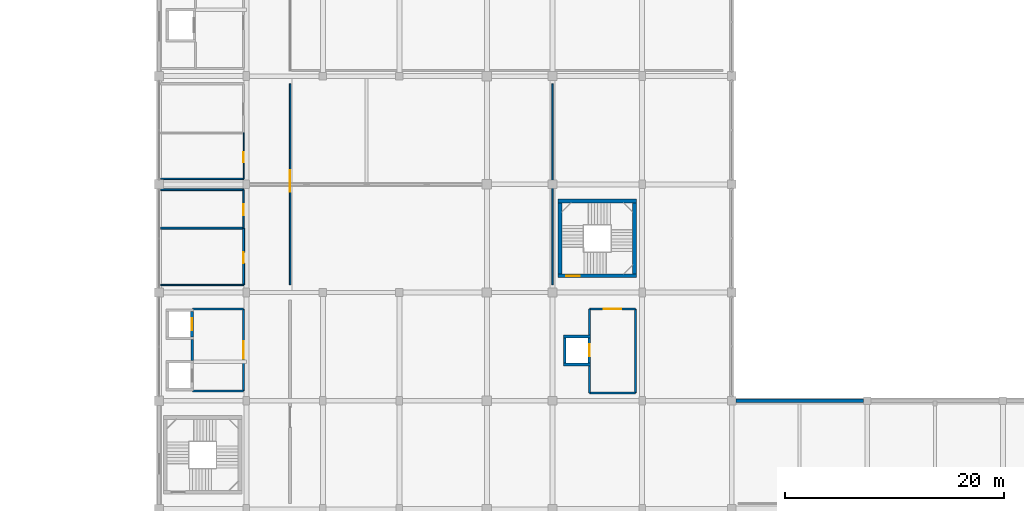
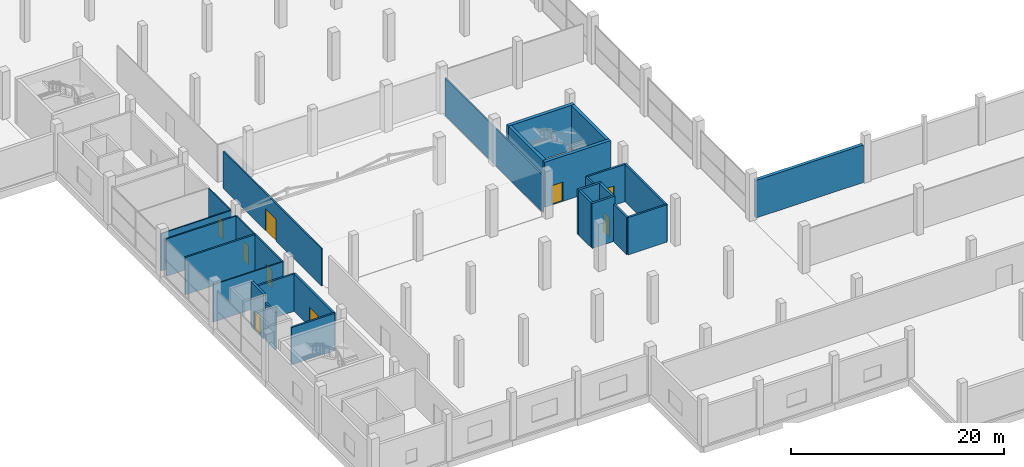
# One storey, part 44 of 72: 28 walls, 9 doors, 9 openings.
"""IFC4 building model written with IfcOpenShell, lengths in metres."""

from ifc_helpers import new_model, si_unit, direction, frame, frame_2d, origin, place, context, subcontext, project, spatial, rectangle, extrude, material, layer, layer_set, type_object, element, fill, save


model = new_model("IFC4")

# Units and contexts
model_context = context("Model", 3, precision=1e-05, world=origin(), true_north=direction((0.0, 1.0)))
body_context = subcontext(model_context, "Body", "Model", "MODEL_VIEW")
ifc_project = project(units=[si_unit("LENGTHUNIT", "METRE"), si_unit("AREAUNIT", "SQUARE_METRE"), si_unit("VOLUMEUNIT", "CUBIC_METRE"), si_unit("PLANEANGLEUNIT", "RADIAN"), si_unit("MASSUNIT", "GRAM", prefix="KILO")], contexts=[model_context])

# Site, building, storey
site_placement = place(None, origin())
site = spatial("IfcSite", under=ifc_project, at=site_placement, CompositionType="ELEMENT")
building_placement = place(site_placement, origin())
building = spatial("IfcBuilding", under=site, at=building_placement, Name="Sillaruma Civic Art Gallery", CompositionType="ELEMENT")
storey_placement = place(building_placement, frame((0.0, 0.0, 10.8798828125)))
storey = spatial("IfcBuildingStorey", under=building, at=storey_placement, Name="L02", CompositionType="ELEMENT", Elevation=10.8798828125)

# Wall, opening, door
ifc_material_1 = material(Name="Concrete H40 (40 MPa)", Category="concrete")
ifc_layer_1 = layer(ifc_material_1, 0.35009765625, Name="Concrete H40 (40 MPa)")
ifc_layer_set_1 = layer_set([ifc_layer_1], Name="Concrete H40 (40 MPa)")
wall_type_1 = type_object("IfcWallType", Name="WAL-CORE-350", PredefinedType="SHEAR", material=ifc_layer_set_1)
wall_1_placement = place(storey_placement, frame((98.510009765625, 51.034912109375, 0.0), z_axis=(0.0, 0.0, 1.0), x_axis=(1.0, 0.0, 0.0)))
wall_1 = element("IfcWall", 1, at=wall_1_placement, inside=storey, type_object=wall_type_1, Name="Stair Core Shear Wall W-CORE-350 (ST-04:L02:S)", PredefinedType="SHEAR", context=body_context, shape_type="SweptSolid", body=[
    extrude(rectangle(XDim=7.179931640625, YDim=0.35009765625, at=frame_2d((3.58984375, 0.0))), origin(), (0.0, 0.0, 1.0), 5.16015625),
])
opening_1_placement = place(wall_1_placement, frame((0.77001953125, 0.0, 0.0)))
opening_1 = element("IfcOpeningElement", 2, at=opening_1_placement, cuts=wall_1, Name="Opening D-STAIR", PredefinedType="OPENING", context=body_context, shape_type="SweptSolid", body=[
    extrude(rectangle(XDim=1.199951171875, YDim=2.199951171875, at=frame_2d((0.60009765625, 1.10009765625))), frame((0.0, 0.18505859375, 0.0), z_axis=(0.0, -1.0, 0.0), x_axis=(1.0, 0.0, 0.0)), (0.0, 0.0, 1.0), 0.3701171875),
])
ifc_material_2 = material(Name="Galvanised Steel ASTM A653 Gr.50", Category="steel")
door_type_1 = type_object("IfcDoorType", Name="DOR-STAIR-120", OperationType="NOTDEFINED", PredefinedType="DOOR", material=ifc_material_2)
door_1_placement = place(opening_1_placement, origin())
door_1 = element("IfcDoor", 3, at=door_1_placement, inside=storey, type_object=door_type_1, Name="Protected Stair Fire Door (ST-04:L02)", OperationType="SINGLE_SWING_RIGHT", OverallHeight=2.199951171875, OverallWidth=1.199951171875, PredefinedType="DOOR", context=body_context, shape_type="SweptSolid", body=[
    extrude(rectangle(XDim=1.199951171875, YDim=2.199951171875, at=frame_2d((0.60009765625, 1.10009765625))), frame((0.0, 0.02490234375, 0.0), z_axis=(0.0, -1.0, 0.0), x_axis=(1.0, 0.0, 0.0)), (0.0, 0.0, 1.0), 0.050048828125),
])
fill(opening_1, door_1)

# Walls
wall_2_placement = place(storey_placement, frame((98.510009765625, 57.864990234375, 0.0), z_axis=(0.0, 0.0, 1.0), x_axis=(1.0, 0.0, 0.0)))
element("IfcWall", 4, at=wall_2_placement, inside=storey, type_object=wall_type_1, Name="Stair Core Shear Wall W-CORE-350 (ST-04:L02:N)", PredefinedType="SHEAR", context=body_context, shape_type="SweptSolid", body=[
    extrude(rectangle(XDim=7.179931640625, YDim=0.35009765625, at=frame_2d((3.58984375, 0.0))), origin(), (0.0, 0.0, 1.0), 5.16015625),
])
for number, where, z_axis, x_axis, name in (
    (5, (98.68505859375, 51.2099609375, 0.0), (0.0, 0.0, 1.0), (0.0, 1.0, 0.0), "Stair Core Shear Wall W-CORE-350 (ST-04:L02:W)"),
    (6, (105.514892578125, 51.2099609375, 0.0), (0.0, 0.0, 1.0), (0.0, 1.0, 0.0), "Stair Core Shear Wall W-CORE-350 (ST-04:L02:E)"),
):
    element("IfcWall", number, at=place(storey_placement, frame(where, z_axis=z_axis, x_axis=x_axis)), inside=storey, type_object=wall_type_1, Name=name, PredefinedType="SHEAR", context=body_context, shape_type="SweptSolid", body=[
        extrude(rectangle(XDim=6.47998046875, YDim=0.35009765625, at=frame_2d((3.239990234375, 0.0))), origin(), (0.0, 0.0, 1.0), 5.16015625),
    ])
ifc_layer_2 = layer(ifc_material_1, 0.239990234375, Name="Boundary concrete", Category="concrete")
ifc_material_3 = material(Name="Mineral Wool Thermal Insulation", Category="insulation")
ifc_layer_3 = layer(ifc_material_3, 0.10009765625, Name="Acoustic-thermal liner", Category="insulation")
ifc_layer_set_2 = layer_set([ifc_layer_2, ifc_layer_3], Name="W-EXT-340")
wall_type_2 = type_object("IfcWallType", Name="WAL-EXT-340", PredefinedType="SOLIDWALL", material=ifc_layer_set_2)
wall_3_placement = place(storey_placement, frame((114.800048828125, 39.60009765625, 0.0), z_axis=(0.0, 0.0, 1.0), x_axis=(1.0, 0.0, 0.0)))
element("IfcWall", 7, at=wall_3_placement, inside=storey, type_object=wall_type_2, Name="Exterior Wall W-EXT-340 (EW-L02-EPN-1)", PredefinedType="SOLIDWALL", context=body_context, shape_type="SweptSolid", body=[
    extrude(rectangle(XDim=11.64990234375, YDim=0.340087890625, at=frame_2d((5.824951171875, 0.0))), origin(), (0.0, 0.0, 1.0), 4.31005859375),
])
ifc_material_4 = material(Name="Concrete Masonry Unit Grade M15", Category="masonry")
ifc_layer_4 = layer(ifc_material_4, 0.199951171875, Name="Concrete Masonry Unit Grade M15")
ifc_layer_set_3 = layer_set([ifc_layer_4], Name="Concrete Masonry Unit Grade M15")
wall_type_3 = type_object("IfcWallType", Name="WAL-LOBBY-200", PredefinedType="SOLIDWALL", material=ifc_layer_set_3)
for number, where, z_axis, x_axis, name in (
    (8, (65.050048828125, 40.5, 0.0), (0.0, 0.0, 1.0), (1.0, 0.0, 0.0), "Interior Wall W-LOBBY-200 (L02-LLW)"),
    (9, (65.050048828125, 48.0, 0.0), (0.0, 0.0, 1.0), (1.0, 0.0, 0.0), "Interior Wall W-LOBBY-200 (L02-LLW)"),
):
    element("IfcWall", number, at=place(storey_placement, frame(where, z_axis=z_axis, x_axis=x_axis)), inside=storey, type_object=wall_type_3, Name=name, PredefinedType="SOLIDWALL", context=body_context, shape_type="SweptSolid", body=[
        extrude(rectangle(XDim=4.699951171875, YDim=0.199951171875, at=frame_2d((2.35009765625, 0.0))), origin(), (0.0, 0.0, 1.0), 4.280029296875),
    ])
wall_4_placement = place(storey_placement, frame((65.050048828125, 43.300048828125, 0.0), z_axis=(0.0, 0.0, 1.0), x_axis=(0.0, 1.0, 0.0)))
element("IfcWall", 10, at=wall_4_placement, inside=storey, type_object=wall_type_3, Name="Interior Wall W-LOBBY-200 (L02-LLW)", PredefinedType="SOLIDWALL", context=body_context, shape_type="SweptSolid", body=[
    extrude(rectangle(XDim=1.89990234375, YDim=0.199951171875, at=frame_2d((0.949951171875, 0.0))), origin(), (0.0, 0.0, 1.0), 4.280029296875),
])

# Wall, opening, door
wall_5_placement = place(storey_placement, frame((69.75, 40.5, 0.0), z_axis=(0.0, 0.0, 1.0), x_axis=(0.0, 1.0, 0.0)))
wall_5 = element("IfcWall", 11, at=wall_5_placement, inside=storey, type_object=wall_type_3, Name="Interior Wall W-LOBBY-200 (L02-LLW)", PredefinedType="SOLIDWALL", context=body_context, shape_type="SweptSolid", body=[
    extrude(rectangle(XDim=7.5, YDim=0.199951171875, at=frame_2d((3.75, 0.0))), origin(), (0.0, 0.0, 1.0), 4.280029296875),
])
opening_2_placement = place(wall_5_placement, frame((2.949951171875, 0.0, 0.0)))
opening_2 = element("IfcOpeningElement", 12, at=opening_2_placement, cuts=wall_5, Name="Opening D-LOBBY", PredefinedType="OPENING", context=body_context, shape_type="SweptSolid", body=[
    extrude(rectangle(XDim=1.60009765625, YDim=2.199951171875, at=frame_2d((0.800048828125, 1.10009765625))), frame((0.0, 0.10986328125, 0.0), z_axis=(0.0, -1.0, 0.0), x_axis=(1.0, 0.0, 0.0)), (0.0, 0.0, 1.0), 0.219970703125),
])
ifc_material_5 = material(Name="Thermally Broken Extruded Aluminium 6063-T6", Category="aluminium")
door_type_2 = type_object("IfcDoorType", Name="DOR-LOBBY-160", OperationType="NOTDEFINED", PredefinedType="DOOR", material=ifc_material_5)
door_2_placement = place(opening_2_placement, origin())
door_2 = element("IfcDoor", 13, at=door_2_placement, inside=storey, type_object=door_type_2, Name="West Lift Lobby Door (D-LOBBY)", OperationType="DOUBLE_DOOR_SINGLE_SWING", OverallHeight=2.199951171875, OverallWidth=1.60009765625, PredefinedType="DOOR", context=body_context, shape_type="SweptSolid", body=[
    extrude(rectangle(XDim=1.60009765625, YDim=2.199951171875, at=frame_2d((0.800048828125, 1.10009765625))), frame((0.0, 0.02490234375, 0.0), z_axis=(0.0, -1.0, 0.0), x_axis=(1.0, 0.0, 0.0)), (0.0, 0.0, 1.0), 0.050048828125),
])
fill(opening_2, door_2)

# Walls
wall_6_placement = place(storey_placement, frame((101.39990234375, 40.300048828125, 0.0), z_axis=(0.0, 0.0, 1.0), x_axis=(1.0, 0.0, 0.0)))
element("IfcWall", 14, at=wall_6_placement, inside=storey, type_object=wall_type_3, Name="Interior Wall W-LOBBY-200 (L02-LLE)", PredefinedType="SOLIDWALL", context=body_context, shape_type="SweptSolid", body=[
    extrude(rectangle(XDim=4.2001953125, YDim=0.199951171875, at=frame_2d((2.10009765625, 0.0))), origin(), (0.0, 0.0, 1.0), 4.280029296875),
])
wall_7_placement = place(storey_placement, frame((101.39990234375, 40.300048828125, 0.0), z_axis=(0.0, 0.0, 1.0), x_axis=(0.0, 1.0, 0.0)))
element("IfcWall", 15, at=wall_7_placement, inside=storey, type_object=wall_type_3, Name="Interior Wall W-LOBBY-200 (L02-LLE)", PredefinedType="SOLIDWALL", context=body_context, shape_type="SweptSolid", body=[
    extrude(rectangle(XDim=2.5, YDim=0.199951171875, at=frame_2d((1.25, 0.0))), origin(), (0.0, 0.0, 1.0), 4.280029296875),
])
wall_8_placement = place(storey_placement, frame((101.39990234375, 45.60009765625, 0.0), z_axis=(0.0, 0.0, 1.0), x_axis=(0.0, 1.0, 0.0)))
element("IfcWall", 16, at=wall_8_placement, inside=storey, type_object=wall_type_3, Name="Interior Wall W-LOBBY-200 (L02-LLE)", PredefinedType="SOLIDWALL", context=body_context, shape_type="SweptSolid", body=[
    extrude(rectangle(XDim=2.39990234375, YDim=0.199951171875, at=frame_2d((1.199951171875, 0.0))), origin(), (0.0, 0.0, 1.0), 4.280029296875),
])
wall_9_placement = place(storey_placement, frame((105.60009765625, 40.300048828125, 0.0), z_axis=(0.0, 0.0, 1.0), x_axis=(0.0, 1.0, 0.0)))
element("IfcWall", 17, at=wall_9_placement, inside=storey, type_object=wall_type_3, Name="Interior Wall W-LOBBY-200 (L02-LLE)", PredefinedType="SOLIDWALL", context=body_context, shape_type="SweptSolid", body=[
    extrude(rectangle(XDim=7.699951171875, YDim=0.199951171875, at=frame_2d((3.85009765625, 0.0))), origin(), (0.0, 0.0, 1.0), 4.280029296875),
])

# Wall, opening, door
wall_10_placement = place(storey_placement, frame((101.39990234375, 48.0, 0.0), z_axis=(0.0, 0.0, 1.0), x_axis=(1.0, 0.0, 0.0)))
wall_10 = element("IfcWall", 18, at=wall_10_placement, inside=storey, type_object=wall_type_3, Name="Interior Wall W-LOBBY-200 (L02-LLE)", PredefinedType="SOLIDWALL", context=body_context, shape_type="SweptSolid", body=[
    extrude(rectangle(XDim=4.2001953125, YDim=0.199951171875, at=frame_2d((2.10009765625, 0.0))), origin(), (0.0, 0.0, 1.0), 4.280029296875),
])
opening_3_placement = place(wall_10_placement, frame((1.300048828125, 0.0, 0.0)))
opening_3 = element("IfcOpeningElement", 19, at=opening_3_placement, cuts=wall_10, Name="Opening D-LOBBY", PredefinedType="OPENING", context=body_context, shape_type="SweptSolid", body=[
    extrude(rectangle(XDim=1.60009765625, YDim=2.199951171875, at=frame_2d((0.800048828125, 1.10009765625))), frame((0.0, 0.10986328125, 0.0), z_axis=(0.0, -1.0, 0.0), x_axis=(1.0, 0.0, 0.0)), (0.0, 0.0, 1.0), 0.219970703125),
])
door_3_placement = place(opening_3_placement, origin())
door_3 = element("IfcDoor", 20, at=door_3_placement, inside=storey, type_object=door_type_2, Name="East Lift Lobby Door (D-LOBBY)", OperationType="DOUBLE_DOOR_SINGLE_SWING", OverallHeight=2.199951171875, OverallWidth=1.60009765625, PredefinedType="DOOR", context=body_context, shape_type="SweptSolid", body=[
    extrude(rectangle(XDim=1.60009765625, YDim=2.199951171875, at=frame_2d((0.800048828125, 1.10009765625))), frame((0.0, 0.02490234375, 0.0), z_axis=(0.0, -1.0, 0.0), x_axis=(1.0, 0.0, 0.0)), (0.0, 0.0, 1.0), 0.050048828125),
])
fill(opening_3, door_3)

# Wall
ifc_material_6 = material(Name="Gypsum Acoustic Board", Category="gypsum")
ifc_layer_5 = layer(ifc_material_6, 0.02490234375, Name="Finish board", Category="gypsum")
ifc_layer_6 = layer(ifc_material_3, 0.06005859375, Name="Acoustic core", Category="insulation")
ifc_material_7 = material(Name="Andean Oak Timber", Category="wood")
ifc_layer_7 = layer(ifc_material_7, 0.02490234375, Name="Gallery lining", Category="wood")
ifc_layer_set_4 = layer_set([ifc_layer_5, ifc_layer_6, ifc_layer_7], Name="W-PT-110")
wall_type_4 = type_object("IfcWallType", Name="WAL-PART-110", PredefinedType="PARTITIONING", material=ifc_layer_set_4)
wall_11_placement = place(storey_placement, frame((62.14990234375, 50.199951171875, 0.0), z_axis=(0.0, 0.0, 1.0), x_axis=(1.0, 0.0, 0.0)))
element("IfcWall", 21, at=wall_11_placement, inside=storey, type_object=wall_type_4, Name="Interior Wall W-PT-110 (L02-WC1)", PredefinedType="PARTITIONING", context=body_context, shape_type="SweptSolid", body=[
    extrude(rectangle(XDim=7.60009765625, YDim=0.110107421875, at=frame_2d((3.800048828125, 0.0))), origin(), (0.0, 0.0, 1.0), 4.280029296875),
])

# Wall, opening, door
wall_12_placement = place(storey_placement, frame((69.75, 59.89990234375, 0.0), z_axis=(0.0, 0.0, 1.0), x_axis=(0.0, 1.0, 0.0)))
wall_12 = element("IfcWall", 22, at=wall_12_placement, inside=storey, type_object=wall_type_4, Name="Interior Wall W-PT-110 (L02-CLN)", PredefinedType="PARTITIONING", context=body_context, shape_type="SweptSolid", body=[
    extrude(rectangle(XDim=4.2001953125, YDim=0.110107421875, at=frame_2d((2.10009765625, 0.0))), origin(), (0.0, 0.0, 1.0), 4.280029296875),
])
opening_4_placement = place(wall_12_placement, frame((1.5, 0.0, 0.0)))
opening_4 = element("IfcOpeningElement", 23, at=opening_4_placement, cuts=wall_12, Name="Opening D-SVC09", PredefinedType="OPENING", context=body_context, shape_type="SweptSolid", body=[
    extrude(rectangle(XDim=0.949951171875, YDim=2.10009765625, at=frame_2d((0.47509765625, 1.050048828125))), frame((0.0, 0.06494140625, 0.0), z_axis=(0.0, -1.0, 0.0), x_axis=(1.0, 0.0, 0.0)), (0.0, 0.0, 1.0), 0.130126953125),
])
door_type_3 = type_object("IfcDoorType", Name="DOR-SVC-095", OperationType="NOTDEFINED", PredefinedType="DOOR", material=ifc_material_7)
door_4_placement = place(opening_4_placement, origin())
door_4 = element("IfcDoor", 24, at=door_4_placement, inside=storey, type_object=door_type_3, Name="Cleaner Store Door (D-SVC09)", OperationType="SINGLE_SWING_LEFT", OverallHeight=2.10009765625, OverallWidth=0.949951171875, PredefinedType="DOOR", context=body_context, shape_type="SweptSolid", body=[
    extrude(rectangle(XDim=0.949951171875, YDim=2.10009765625, at=frame_2d((0.47509765625, 1.050048828125))), frame((0.0, 0.02490234375, 0.0), z_axis=(0.0, -1.0, 0.0), x_axis=(1.0, 0.0, 0.0)), (0.0, 0.0, 1.0), 0.050048828125),
])
fill(opening_4, door_4)

# Wall
ifc_layer_8 = layer(ifc_material_6, 0.02490234375, Name="Finish board", Category="gypsum")
ifc_layer_9 = layer(ifc_material_3, 0.080078125, Name="Acoustic core", Category="insulation")
ifc_layer_10 = layer(ifc_material_7, 0.02490234375, Name="Gallery lining", Category="wood")
ifc_layer_set_5 = layer_set([ifc_layer_8, ifc_layer_9, ifc_layer_10], Name="W-PT-130")
wall_type_5 = type_object("IfcWallType", Name="WAL-PART-130", PredefinedType="PARTITIONING", material=ifc_layer_set_5)
wall_13_placement = place(storey_placement, frame((62.14990234375, 59.89990234375, 0.0), z_axis=(0.0, 0.0, 1.0), x_axis=(1.0, 0.0, 0.0)))
element("IfcWall", 25, at=wall_13_placement, inside=storey, type_object=wall_type_5, Name="Interior Wall W-PT-130 (L02-CLN)", PredefinedType="PARTITIONING", context=body_context, shape_type="SweptSolid", body=[
    extrude(rectangle(XDim=7.60009765625, YDim=0.1298828125, at=frame_2d((3.800048828125, 0.0))), origin(), (0.0, 0.0, 1.0), 4.280029296875),
])

# Wall, opening, door
ifc_layer_11 = layer(ifc_material_6, 0.02490234375, Name="Finish board", Category="gypsum")
ifc_layer_12 = layer(ifc_material_3, 0.090087890625, Name="Acoustic core", Category="insulation")
ifc_layer_13 = layer(ifc_material_7, 0.02490234375, Name="Gallery lining", Category="wood")
ifc_layer_set_6 = layer_set([ifc_layer_11, ifc_layer_12, ifc_layer_13], Name="W-PT-140")
wall_type_6 = type_object("IfcWallType", Name="WAL-PART-140", PredefinedType="PARTITIONING", material=ifc_layer_set_6)
wall_14_placement = place(storey_placement, frame((69.75, 55.39990234375, 0.0), z_axis=(0.0, 0.0, 1.0), x_axis=(0.0, 1.0, 0.0)))
wall_14 = element("IfcWall", 26, at=wall_14_placement, inside=storey, type_object=wall_type_6, Name="Interior Wall W-PT-140 (L02-WCA)", PredefinedType="PARTITIONING", context=body_context, shape_type="SweptSolid", body=[
    extrude(rectangle(XDim=3.5, YDim=0.139892578125, at=frame_2d((1.75, 0.0))), origin(), (0.0, 0.0, 1.0), 4.280029296875),
])
opening_5_placement = place(wall_14_placement, frame((1.14990234375, 0.0, 0.0)))
opening_5 = element("IfcOpeningElement", 27, at=opening_5_placement, cuts=wall_14, Name="Opening D-AWC10", PredefinedType="OPENING", context=body_context, shape_type="SweptSolid", body=[
    extrude(rectangle(XDim=1.050048828125, YDim=2.14990234375, at=frame_2d((0.52490234375, 1.074951171875))), frame((0.0, 0.079833984375, 0.0), z_axis=(0.0, -1.0, 0.0), x_axis=(1.0, 0.0, 0.0)), (0.0, 0.0, 1.0), 0.159912109375),
])
door_type_4 = type_object("IfcDoorType", Name="DOR-AWC-105", OperationType="NOTDEFINED", PredefinedType="DOOR", material=ifc_material_7)
door_5_placement = place(opening_5_placement, origin())
door_5 = element("IfcDoor", 28, at=door_5_placement, inside=storey, type_object=door_type_4, Name="Accessible WC Door (D-AWC10)", OperationType="SINGLE_SWING_RIGHT", OverallHeight=2.14990234375, OverallWidth=1.050048828125, PredefinedType="DOOR", context=body_context, shape_type="SweptSolid", body=[
    extrude(rectangle(XDim=1.050048828125, YDim=2.14990234375, at=frame_2d((0.52490234375, 1.074951171875))), frame((0.0, 0.02490234375, 0.0), z_axis=(0.0, -1.0, 0.0), x_axis=(1.0, 0.0, 0.0)), (0.0, 0.0, 1.0), 0.050048828125),
])
fill(opening_5, door_5)

# Walls
wall_15_placement = place(storey_placement, frame((98.0, 50.199951171875, 0.0), z_axis=(0.0, 0.0, 1.0), x_axis=(0.0, 1.0, 0.0)))
element("IfcWall", 29, at=wall_15_placement, inside=storey, type_object=wall_type_6, Name="Interior Wall W-PT-140 (L02-GAL21)", PredefinedType="PARTITIONING", context=body_context, shape_type="SweptSolid", body=[
    extrude(rectangle(XDim=18.400146484375, YDim=0.139892578125, at=frame_2d((9.2001953125, 0.0))), origin(), (0.0, 0.0, 1.0), 4.280029296875),
])
ifc_layer_14 = layer(ifc_material_6, 0.02490234375, Name="Finish board", Category="gypsum")
ifc_layer_15 = layer(ifc_material_3, 0.10009765625, Name="Acoustic core", Category="insulation")
ifc_layer_16 = layer(ifc_material_7, 0.02490234375, Name="Gallery lining", Category="wood")
ifc_layer_set_7 = layer_set([ifc_layer_14, ifc_layer_15, ifc_layer_16], Name="W-PT-150")
wall_type_7 = type_object("IfcWallType", Name="WAL-PART-150", PredefinedType="PARTITIONING", material=ifc_layer_set_7)
wall_16_placement = place(storey_placement, frame((62.14990234375, 58.89990234375, 0.0), z_axis=(0.0, 0.0, 1.0), x_axis=(1.0, 0.0, 0.0)))
element("IfcWall", 30, at=wall_16_placement, inside=storey, type_object=wall_type_7, Name="Interior Wall W-PT-150 (L02-WCA)", PredefinedType="PARTITIONING", context=body_context, shape_type="SweptSolid", body=[
    extrude(rectangle(XDim=7.60009765625, YDim=0.14990234375, at=frame_2d((3.800048828125, 0.0))), origin(), (0.0, 0.0, 1.0), 4.280029296875),
])

# Wall, opening, door
wall_17_placement = place(storey_placement, frame((74.0, 50.199951171875, 0.0), z_axis=(0.0, 0.0, 1.0), x_axis=(0.0, 1.0, 0.0)))
wall_17 = element("IfcWall", 31, at=wall_17_placement, inside=storey, type_object=wall_type_7, Name="Interior Wall W-PT-150 (L02-GAL21)", PredefinedType="PARTITIONING", context=body_context, shape_type="SweptSolid", body=[
    extrude(rectangle(XDim=18.400146484375, YDim=0.14990234375, at=frame_2d((9.2001953125, 0.0))), origin(), (0.0, 0.0, 1.0), 4.280029296875),
])
opening_6_placement = place(wall_17_placement, frame((8.5, 0.0, 0.0)))
opening_6 = element("IfcOpeningElement", 32, at=opening_6_placement, cuts=wall_17, Name="Opening D-GAL20", PredefinedType="OPENING", context=body_context, shape_type="SweptSolid", body=[
    extrude(rectangle(XDim=2.0, YDim=2.5, at=frame_2d((1.0, 1.25))), frame((0.0, 0.0849609375, 0.0), z_axis=(0.0, -1.0, 0.0), x_axis=(1.0, 0.0, 0.0)), (0.0, 0.0, 1.0), 0.169921875),
])
door_type_5 = type_object("IfcDoorType", Name="DOR-GAL-200", OperationType="NOTDEFINED", PredefinedType="DOOR", material=ifc_material_7)
door_6_placement = place(opening_6_placement, origin())
door_6 = element("IfcDoor", 33, at=door_6_placement, inside=storey, type_object=door_type_5, Name="Central Podium Modern Art Gallery Door (D-GAL20)", OperationType="DOUBLE_DOOR_SINGLE_SWING", OverallHeight=2.5, OverallWidth=2.0, PredefinedType="DOOR", context=body_context, shape_type="SweptSolid", body=[
    extrude(rectangle(XDim=2.0, YDim=2.5, at=frame_2d((1.0, 1.25))), frame((0.0, 0.02490234375, 0.0), z_axis=(0.0, -1.0, 0.0), x_axis=(1.0, 0.0, 0.0)), (0.0, 0.0, 1.0), 0.050048828125),
])
fill(opening_6, door_6)

ifc_layer_17 = layer(ifc_material_6, 0.02490234375, Name="Finish board", Category="gypsum")
ifc_layer_18 = layer(ifc_material_3, 0.114990234375, Name="Acoustic core", Category="insulation")
ifc_layer_19 = layer(ifc_material_7, 0.02490234375, Name="Gallery lining", Category="wood")
ifc_layer_set_8 = layer_set([ifc_layer_17, ifc_layer_18, ifc_layer_19], Name="W-PT-165")
wall_type_8 = type_object("IfcWallType", Name="WAL-PART-165", PredefinedType="PARTITIONING", material=ifc_layer_set_8)
wall_18_placement = place(storey_placement, frame((69.75, 50.199951171875, 0.0), z_axis=(0.0, 0.0, 1.0), x_axis=(0.0, 1.0, 0.0)))
wall_18 = element("IfcWall", 34, at=wall_18_placement, inside=storey, type_object=wall_type_8, Name="Interior Wall W-PT-165 (L02-WC1)", PredefinedType="PARTITIONING", context=body_context, shape_type="SweptSolid", body=[
    extrude(rectangle(XDim=5.199951171875, YDim=0.1650390625, at=frame_2d((2.60009765625, 0.0))), origin(), (0.0, 0.0, 1.0), 4.280029296875),
])
opening_7_placement = place(wall_18_placement, frame((2.0, 0.0, 0.0)))
opening_7 = element("IfcOpeningElement", 35, at=opening_7_placement, cuts=wall_18, Name="Opening D-WC10", PredefinedType="OPENING", context=body_context, shape_type="SweptSolid", body=[
    extrude(rectangle(XDim=1.0, YDim=2.10009765625, at=frame_2d((0.5, 1.050048828125))), frame((0.0, 0.092529296875, 0.0), z_axis=(0.0, -1.0, 0.0), x_axis=(1.0, 0.0, 0.0)), (0.0, 0.0, 1.0), 0.18505859375),
])
door_type_6 = type_object("IfcDoorType", Name="DOR-WC-100", OperationType="NOTDEFINED", PredefinedType="DOOR", material=ifc_material_7)
door_7_placement = place(opening_7_placement, origin())
door_7 = element("IfcDoor", 36, at=door_7_placement, inside=storey, type_object=door_type_6, Name="Public WC Door (D-WC10)", OperationType="SINGLE_SWING_LEFT", OverallHeight=2.10009765625, OverallWidth=1.0, PredefinedType="DOOR", context=body_context, shape_type="SweptSolid", body=[
    extrude(rectangle(XDim=1.0, YDim=2.10009765625, at=frame_2d((0.5, 1.050048828125))), frame((0.0, 0.02490234375, 0.0), z_axis=(0.0, -1.0, 0.0), x_axis=(1.0, 0.0, 0.0)), (0.0, 0.0, 1.0), 0.050048828125),
])
fill(opening_7, door_7)

# Wall
ifc_layer_20 = layer(ifc_material_6, 0.02490234375, Name="Finish board", Category="gypsum")
ifc_layer_21 = layer(ifc_material_3, 0.1298828125, Name="Acoustic core", Category="insulation")
ifc_layer_22 = layer(ifc_material_7, 0.02490234375, Name="Gallery lining", Category="wood")
ifc_layer_set_9 = layer_set([ifc_layer_20, ifc_layer_21, ifc_layer_22], Name="W-PT-180")
wall_type_9 = type_object("IfcWallType", Name="WAL-PART-180", PredefinedType="PARTITIONING", material=ifc_layer_set_9)
wall_19_placement = place(storey_placement, frame((62.14990234375, 55.39990234375, 0.0), z_axis=(0.0, 0.0, 1.0), x_axis=(1.0, 0.0, 0.0)))
element("IfcWall", 37, at=wall_19_placement, inside=storey, type_object=wall_type_9, Name="Interior Wall W-PT-180 (L02-WC1)", PredefinedType="PARTITIONING", context=body_context, shape_type="SweptSolid", body=[
    extrude(rectangle(XDim=7.60009765625, YDim=0.179931640625, at=frame_2d((3.800048828125, 0.0))), origin(), (0.0, 0.0, 1.0), 4.280029296875),
])

# Wall, opening, door
ifc_layer_23 = layer(ifc_material_1, 0.25, Name="Concrete H40 (40 MPa)")
ifc_layer_set_10 = layer_set([ifc_layer_23], Name="Concrete H40 (40 MPa)")
wall_type_10 = type_object("IfcWallType", Name="WAL-SHAFT-250", PredefinedType="SOLIDWALL", material=ifc_layer_set_10)
wall_20_placement = place(storey_placement, frame((65.02490234375, 45.449951171875, 0.0), z_axis=(0.0, 0.0, 1.0), x_axis=(0.0, 1.0, 0.0)))
wall_20 = element("IfcWall", 38, at=wall_20_placement, inside=storey, type_object=wall_type_10, Name="Lift Shaft Wall W-SHAFT-250 (PL-02:L02:E)", PredefinedType="SOLIDWALL", context=body_context, shape_type="SweptSolid", body=[
    extrude(rectangle(XDim=2.300048828125, YDim=0.25, at=frame_2d((1.14990234375, 0.0))), origin(), (0.0, 0.0, 1.0), 5.14013671875),
])
opening_8_placement = place(wall_20_placement, frame((0.60009765625, 0.0, 0.0)))
opening_8 = element("IfcOpeningElement", 39, at=opening_8_placement, cuts=wall_20, Name="Opening LD-01", PredefinedType="OPENING", context=body_context, shape_type="SweptSolid", body=[
    extrude(rectangle(XDim=1.10009765625, YDim=2.199951171875, at=frame_2d((0.550048828125, 1.10009765625))), frame((0.0, 0.135009765625, 0.0), z_axis=(0.0, -1.0, 0.0), x_axis=(1.0, 0.0, 0.0)), (0.0, 0.0, 1.0), 0.27001953125),
])
door_type_7 = type_object("IfcDoorType", Name="DOR-LD-01", OperationType="NOTDEFINED", PredefinedType="DOOR", material=ifc_material_2)
door_8_placement = place(opening_8_placement, origin())
door_8 = element("IfcDoor", 40, at=door_8_placement, inside=storey, type_object=door_type_7, Name="Lift Sliding Landing Door LD-01 (PL-02:L02)", OperationType="DOUBLE_DOOR_SLIDING", OverallHeight=2.199951171875, OverallWidth=1.10009765625, PredefinedType="DOOR", context=body_context, shape_type="SweptSolid", body=[
    extrude(rectangle(XDim=1.10009765625, YDim=2.199951171875, at=frame_2d((0.550048828125, 1.10009765625))), frame((0.0, 0.02490234375, 0.0), z_axis=(0.0, -1.0, 0.0), x_axis=(1.0, 0.0, 0.0)), (0.0, 0.0, 1.0), 0.050048828125),
])
fill(opening_8, door_8)

# Walls
for number, where, z_axis, x_axis, name in (
    (41, (99.0, 42.925048828125, 0.0), (0.0, 0.0, 1.0), (1.0, 0.0, 0.0), "Lift Shaft Wall W-SHAFT-250 (PL-03:L02:S)"),
    (42, (99.0, 45.47509765625, 0.0), (0.0, 0.0, 1.0), (1.0, 0.0, 0.0), "Lift Shaft Wall W-SHAFT-250 (PL-03:L02:N)"),
):
    element("IfcWall", number, at=place(storey_placement, frame(where, z_axis=z_axis, x_axis=x_axis)), inside=storey, type_object=wall_type_10, Name=name, PredefinedType="SOLIDWALL", context=body_context, shape_type="SweptSolid", body=[
        extrude(rectangle(XDim=2.5, YDim=0.25, at=frame_2d((1.25, 0.0))), origin(), (0.0, 0.0, 1.0), 5.14013671875),
    ])
wall_21_placement = place(storey_placement, frame((99.125, 43.050048828125, 0.0), z_axis=(0.0, 0.0, 1.0), x_axis=(0.0, 1.0, 0.0)))
element("IfcWall", 43, at=wall_21_placement, inside=storey, type_object=wall_type_10, Name="Lift Shaft Wall W-SHAFT-250 (PL-03:L02:W)", PredefinedType="SOLIDWALL", context=body_context, shape_type="SweptSolid", body=[
    extrude(rectangle(XDim=2.300048828125, YDim=0.25, at=frame_2d((1.14990234375, 0.0))), origin(), (0.0, 0.0, 1.0), 5.14013671875),
])

# Wall, opening, door
wall_22_placement = place(storey_placement, frame((101.375, 43.050048828125, 0.0), z_axis=(0.0, 0.0, 1.0), x_axis=(0.0, 1.0, 0.0)))
wall_22 = element("IfcWall", 44, at=wall_22_placement, inside=storey, type_object=wall_type_10, Name="Lift Shaft Wall W-SHAFT-250 (PL-03:L02:E)", PredefinedType="SOLIDWALL", context=body_context, shape_type="SweptSolid", body=[
    extrude(rectangle(XDim=2.300048828125, YDim=0.25, at=frame_2d((1.14990234375, 0.0))), origin(), (0.0, 0.0, 1.0), 5.14013671875),
])
opening_9_placement = place(wall_22_placement, frame((0.60009765625, 0.0, 0.0)))
opening_9 = element("IfcOpeningElement", 45, at=opening_9_placement, cuts=wall_22, Name="Opening LD-01", PredefinedType="OPENING", context=body_context, shape_type="SweptSolid", body=[
    extrude(rectangle(XDim=1.10009765625, YDim=2.199951171875, at=frame_2d((0.550048828125, 1.10009765625))), frame((0.0, 0.135009765625, 0.0), z_axis=(0.0, -1.0, 0.0), x_axis=(1.0, 0.0, 0.0)), (0.0, 0.0, 1.0), 0.27001953125),
])
door_9_placement = place(opening_9_placement, origin())
door_9 = element("IfcDoor", 46, at=door_9_placement, inside=storey, type_object=door_type_7, Name="Lift Sliding Landing Door LD-01 (PL-03:L02)", OperationType="DOUBLE_DOOR_SLIDING", OverallHeight=2.199951171875, OverallWidth=1.10009765625, PredefinedType="DOOR", context=body_context, shape_type="SweptSolid", body=[
    extrude(rectangle(XDim=1.10009765625, YDim=2.199951171875, at=frame_2d((0.550048828125, 1.10009765625))), frame((0.0, 0.02490234375, 0.0), z_axis=(0.0, -1.0, 0.0), x_axis=(1.0, 0.0, 0.0)), (0.0, 0.0, 1.0), 0.050048828125),
])
fill(opening_9, door_9)

save(model, "model.ifc")
